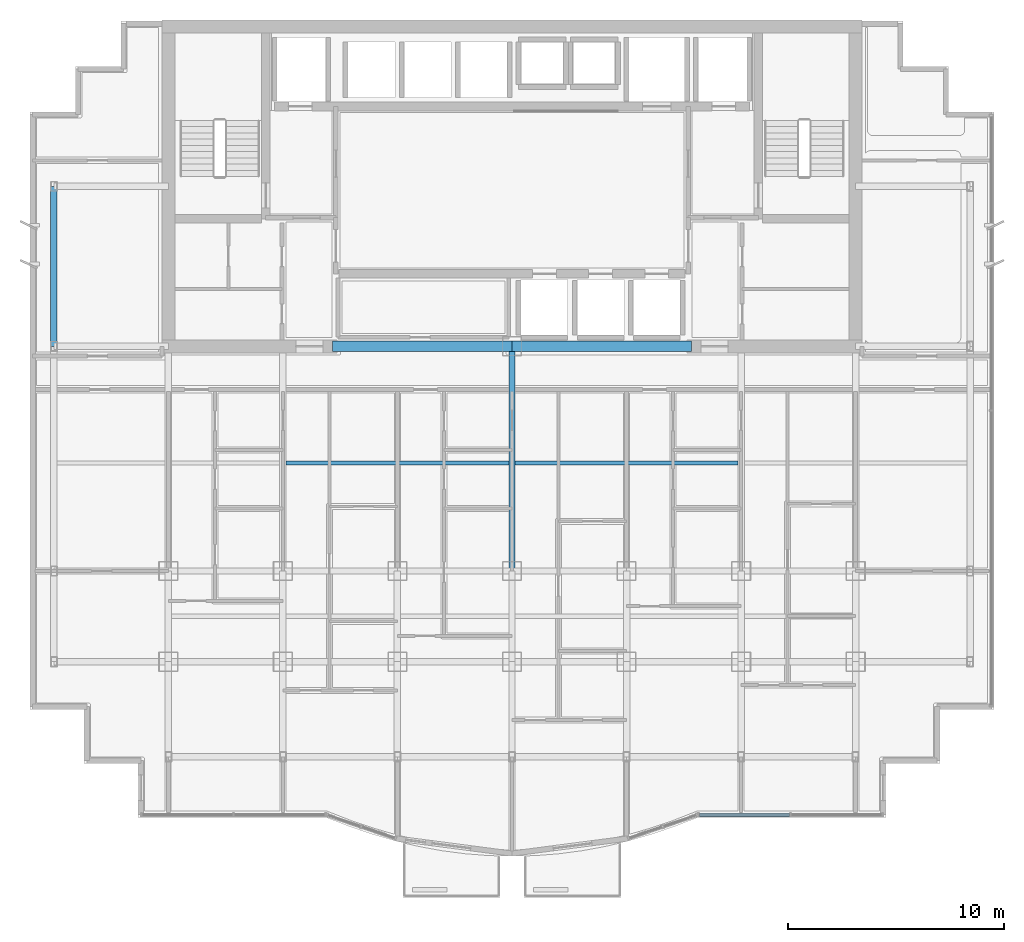
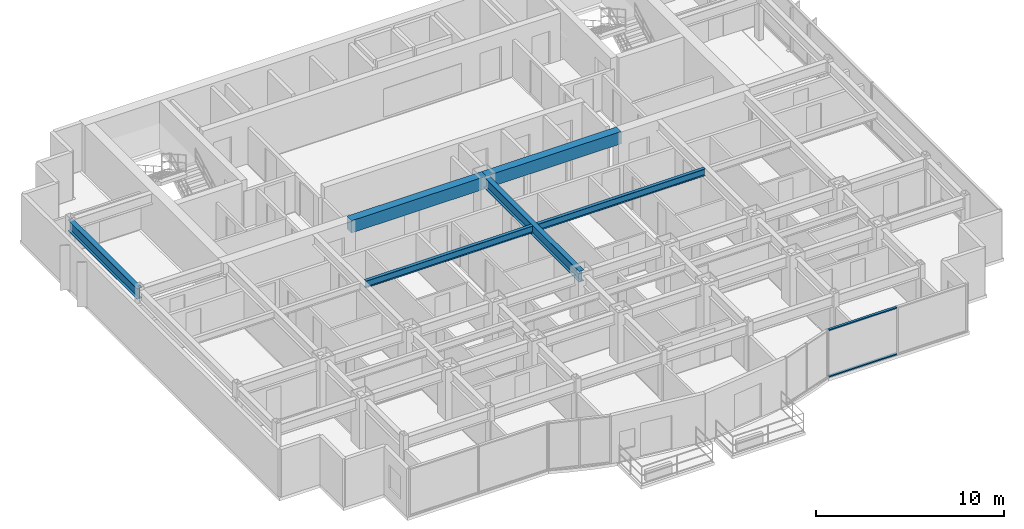
# One storey, part 3 of 13: 6 beams, 2 members, 1 element without a shape of its own.
"""IFC4 building model written with IfcOpenShell, lengths in metres."""

from ifc_helpers import new_model, si_unit, direction, frame, origin, origin_2d, place, context, subcontext, project, spatial, rectangle, i_section, extrude, source, transform, mapped, material, layer, layer_set, material_profile, profile_set, type_object, element, aggregate, save


model = new_model("IFC4")

# Units and contexts
model_context = context("Model", 3, precision=1e-05, world=origin(), true_north=direction((0.0, 1.0)))
body_context = subcontext(model_context, "Body", "Model", "MODEL_VIEW")
ifc_project = project(units=[si_unit("LENGTHUNIT", "METRE"), si_unit("AREAUNIT", "SQUARE_METRE"), si_unit("VOLUMEUNIT", "CUBIC_METRE"), si_unit("PLANEANGLEUNIT", "RADIAN"), si_unit("MASSUNIT", "GRAM", prefix="KILO")], contexts=[model_context])

# Site, building, storey
site_placement = place(None, origin())
site = spatial("IfcSite", under=ifc_project, at=site_placement, CompositionType="ELEMENT")
building_placement = place(site_placement, origin())
building = spatial("IfcBuilding", under=site, at=building_placement, Name="Qianlan Lanfeng Residences", CompositionType="ELEMENT")
storey_placement = place(building_placement, frame((0.0, 0.0, 159.0)))
storey = spatial("IfcBuildingStorey", under=building, at=storey_placement, Name="L43", CompositionType="ELEMENT", Elevation=159.0)

# Beams
ifc_material_1 = material(Name="Steel SN490B", Category="steel")
ifc_material_profile_1 = material_profile(ifc_material_1, i_section(OverallWidth=0.300048828125, OverallDepth=0.699951171875, WebThickness=0.012939453125, FlangeThickness=0.02392578125, at=origin_2d()), Name="H 700x300x13x24")
ifc_profile_set_1 = profile_set([ifc_material_profile_1], Name="Steel SN490B")
beam_type_1 = type_object("IfcBeamType", Name="G-750", PredefinedType="BEAM", material=ifc_profile_set_1)
beam_1_placement = place(storey_placement, frame((26.5, 14.800048828125, 2.75), z_axis=(0.0, 1.0, 0.0), x_axis=(-1.0, 0.0, 0.0)))
element("IfcBeam", 1, at=beam_1_placement, inside=storey, type_object=beam_type_1, Name="Structural beam G-750", PredefinedType="BEAM", context=body_context, shape_type="SweptSolid", body=[
    extrude(i_section(OverallWidth=0.300048828125, OverallDepth=0.699951171875, WebThickness=0.012939453125, FlangeThickness=0.02392578125, at=origin_2d()), origin(), (0.0, 0.0, 1.0), 10.39990234375),
])
ifc_material_profile_2 = material_profile(ifc_material_1, i_section(OverallWidth=0.199951171875, OverallDepth=0.449951171875, WebThickness=0.009033203125, FlangeThickness=0.013916015625, at=origin_2d()), Name="H 450x200x9x14")
ifc_profile_set_2 = profile_set([ifc_material_profile_2], Name="Steel SN490B")
beam_type_2 = type_object("IfcBeamType", Name="J-450", PredefinedType="JOIST", material=ifc_profile_set_2)
for number, where, z_axis, x_axis, name in (
    (2, (16.050048828125, 19.800048828125, 2.875), (1.0, 0.0, 0.0), (0.0, 1.0, 0.0), "Structural beam J-450"),
    (3, (26.64990234375, 19.800048828125, 2.875), (1.0, 0.0, 0.0), (0.0, 1.0, 0.0), "Structural beam J-450"),
):
    element("IfcBeam", number, at=place(storey_placement, frame(where, z_axis=z_axis, x_axis=x_axis)), inside=storey, type_object=beam_type_2, Name=name, PredefinedType="JOIST", context=body_context, shape_type="SweptSolid", body=[
        extrude(i_section(OverallWidth=0.199951171875, OverallDepth=0.449951171875, WebThickness=0.009033203125, FlangeThickness=0.013916015625, at=origin_2d()), origin(), (0.0, 0.0, 1.0), 10.300048828125),
    ])
ifc_material_2 = material(Name="Concrete C49", Category="concrete")
ifc_material_profile_3 = material_profile(ifc_material_2, rectangle(XDim=0.5, YDim=0.800048828125, at=origin_2d()), Name="RC 500x800")
ifc_profile_set_3 = profile_set([ifc_material_profile_3], Name="Concrete C49")
beam_type_3 = type_object("IfcBeamType", Name="LB-RC750", PredefinedType="BEAM", material=ifc_profile_set_3)
for number, where, z_axis, x_axis, name in (
    (4, (18.199951171875, 25.199951171875, 2.699951171875), (1.0, 0.0, 0.0), (0.0, 1.0, 0.0), "L43 Core Coupling Beam W"),
    (5, (26.5, 25.199951171875, 2.699951171875), (1.0, 0.0, 0.0), (0.0, 1.0, 0.0), "L43 Core Coupling Beam E"),
):
    element("IfcBeam", number, at=place(storey_placement, frame(where, z_axis=z_axis, x_axis=x_axis)), inside=storey, type_object=beam_type_3, Name=name, PredefinedType="BEAM", context=body_context, shape_type="SweptSolid", body=[
        extrude(rectangle(XDim=0.5, YDim=0.800048828125, at=origin_2d()), origin(), (0.0, 0.0, 1.0), 8.300048828125),
    ])
ifc_material_profile_4 = material_profile(ifc_material_1, i_section(OverallWidth=0.300048828125, OverallDepth=0.699951171875, WebThickness=0.012939453125, FlangeThickness=0.02392578125, at=origin_2d()), Name="H 700x300x13x24")
ifc_profile_set_4 = profile_set([ifc_material_profile_4], Name="Steel SN490B")
beam_type_4 = type_object("IfcBeamType", Name="SG-750", PredefinedType="SPANDREL", material=ifc_profile_set_4)
beam_2_placement = place(storey_placement, frame((5.300048828125, 25.199951171875, 2.739990234375), z_axis=(0.0, 1.0, 0.0), x_axis=(-1.0, 0.0, 0.0)))
element("IfcBeam", 6, at=beam_2_placement, inside=storey, type_object=beam_type_4, Name="Structural beam SG-750", PredefinedType="SPANDREL", context=body_context, shape_type="SweptSolid", body=[
    extrude(i_section(OverallWidth=0.300048828125, OverallDepth=0.699951171875, WebThickness=0.012939453125, FlangeThickness=0.02392578125, at=origin_2d()), origin(), (0.0, 0.0, 1.0), 7.400146484375),
])

# Curtain wall, members
ifc_material_3 = material(Name="Anodised Bronze Aluminium 6063-T6", Category="aluminium")
ifc_layer = layer(ifc_material_3, 0.219970703125)
ifc_layer_set = layer_set([ifc_layer], Name="Anodised Bronze Aluminium 6063-T6")
curtain_wall_type = type_object("IfcCurtainWallType", Name="CW-04", PredefinedType="NOTDEFINED", material=ifc_layer_set)
curtain_wall_placement = place(storey_placement, origin())
curtain_wall = element("IfcCurtainWall", 7, at=curtain_wall_placement, inside=storey, type_object=curtain_wall_type, Name="L43 Unitised Curtain Wall CWR-L43-04 (CW-04)", PredefinedType="NOTDEFINED")
ifc_material_profile_5 = material_profile(ifc_material_3, rectangle(XDim=0.074951171875, YDim=0.14990234375, at=origin_2d()), Name="ALU TRANSOM 75x150")
ifc_profile_set_5 = profile_set([ifc_material_profile_5], Name="Anodised Bronze Aluminium 6063-T6")
member_type = type_object("IfcMemberType", Name="CWT-150", PredefinedType="USERDEFINED", material=ifc_profile_set_5)
shared_shape = source(origin(), body_context, "Body", "SweptSolid", [
    extrude(rectangle(XDim=0.074951171875, YDim=0.14990234375, at=origin_2d()), origin(), (0.0, 0.0, 1.0), 4.178955078125),
])
member_1_placement = place(storey_placement, frame((35.172119140625, 3.52001953125, 0.03759765625), z_axis=(1.0, 0.0, 0.0), x_axis=(0.0, 0.0, 1.0)))
member_1 = element("IfcMember", 8, at=member_1_placement, type_object=member_type, Name="CWR-L43-04 Transom 1-BOT", ObjectType="TRANSOM", PredefinedType="USERDEFINED", context=body_context, shape_type="MappedRepresentation", body=[
    mapped(shared_shape, transform((0.0, 0.0, 0.0), scale=1.0)),
])
member_2_placement = place(storey_placement, frame((35.172119140625, 3.52001953125, 3.0625), z_axis=(1.0, 0.0, 0.0), x_axis=(0.0, 0.0, 1.0)))
member_2 = element("IfcMember", 9, at=member_2_placement, type_object=member_type, Name="CWR-L43-04 Transom 1-TOP", ObjectType="TRANSOM", PredefinedType="USERDEFINED", context=body_context, shape_type="MappedRepresentation", body=[
    mapped(shared_shape, transform((0.0, 0.0, 0.0), scale=1.0)),
])
aggregate(curtain_wall, [member_1, member_2])

save(model, "model.ifc")
